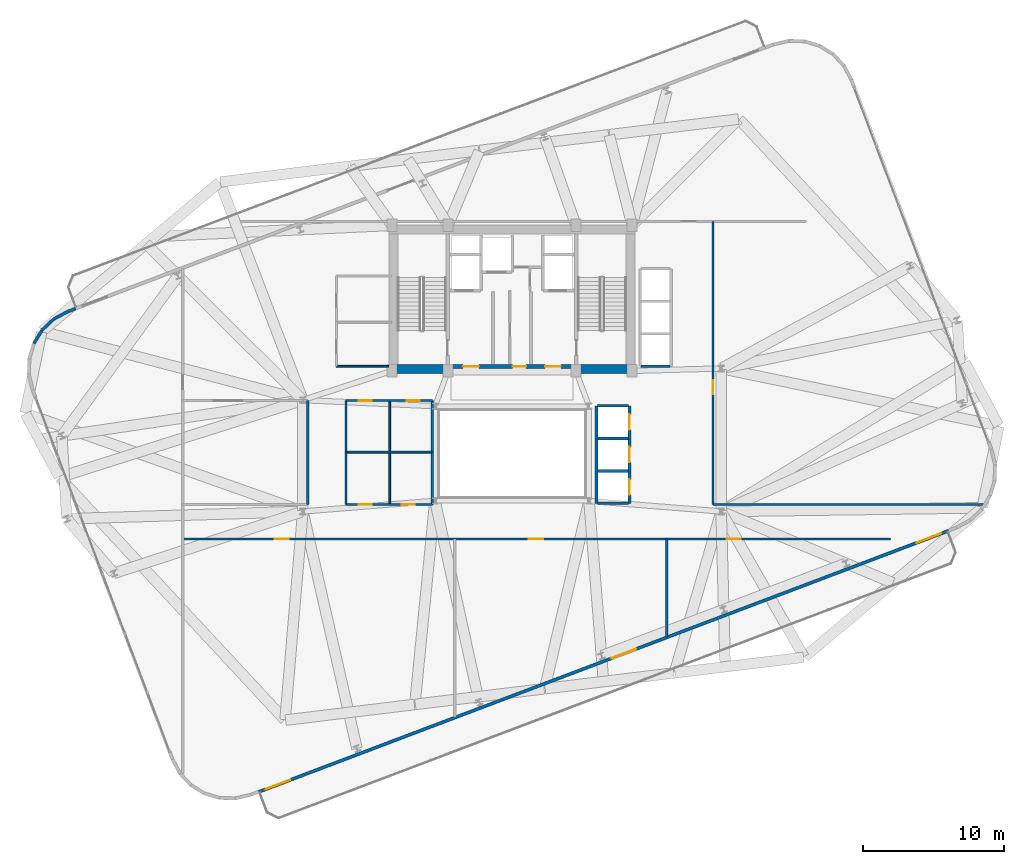
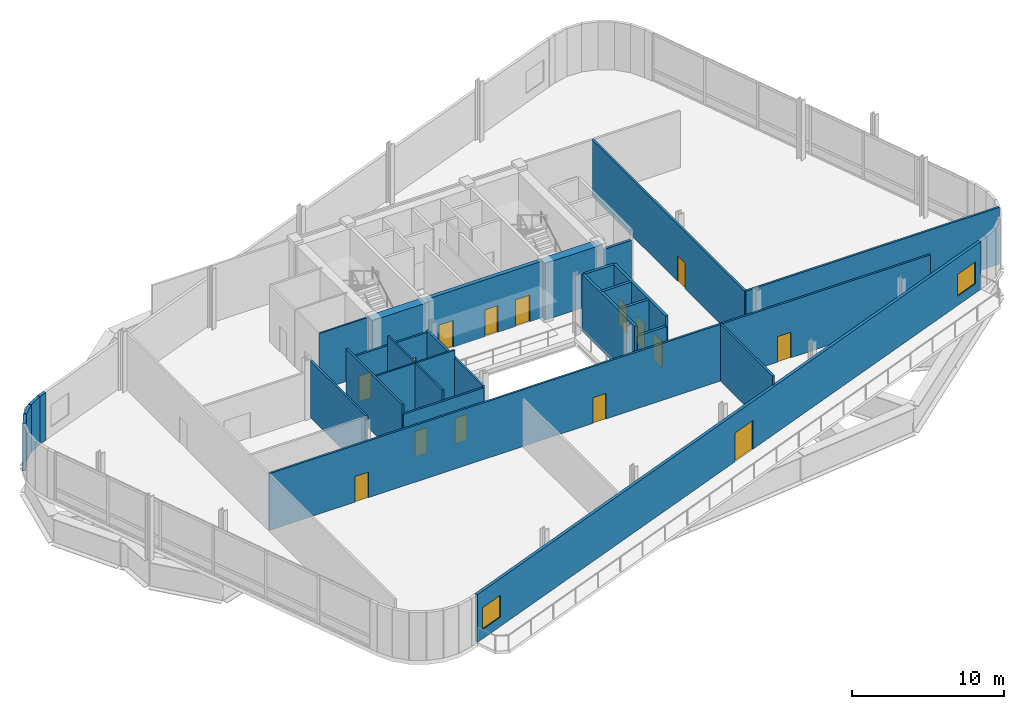
# One storey, part 13 of 19: 27 walls, 15 doors, 2 windows, 17 openings.
"""IFC4 building model written with IfcOpenShell, lengths in metres."""

import ifcopenshell
import ifcopenshell.guid

model = None  # the IFC model being written
_history = None  # IfcOwnerHistory: only IFC2X3 demands one
_inside = {}  # id of a spatial element -> (the spatial element, [elements in it])
_under = {}  # id of a project, library or spatial element -> (it, [spatial elements below it])
_declared = {}  # id of a project -> (the project, [libraries it declares])
_typed = {}  # id of a type object -> (the type object, [elements of that type])
_made_of = {}  # id of a material, layer set ... -> (it, [elements and type objects made of it])


def new_model(schema):
    """Start an empty IFC model of exactly this schema.

    Asked for "IFC4X3", IfcOpenShell would pick the latest addendum, in which some entities
    have other attributes; the version numbers below select the first issue.
    IFC2X3 requires an IfcOwnerHistory on every rooted entity: one is made here for all.
    """
    global model, _history
    if schema == "IFC4X3":
        model = ifcopenshell.file(schema_version=(4, 3, 0, 0))
    else:
        model = ifcopenshell.file(schema=schema)
    _inside.clear()
    _under.clear()
    _declared.clear()
    _typed.clear()
    _made_of.clear()
    _history = None
    if model.schema == "IFC2X3":
        org = make("IfcOrganization", Name="unknown")
        user = make(
            "IfcPersonAndOrganization",
            ThePerson=make("IfcPerson", FamilyName="unknown"),
            TheOrganization=org,
        )
        app = make(
            "IfcApplication",
            ApplicationDeveloper=org,
            Version="unknown",
            ApplicationFullName="unknown",
            ApplicationIdentifier="unknown",
        )
        _history = make(
            "IfcOwnerHistory",
            OwningUser=user,
            OwningApplication=app,
            ChangeAction="ADDED",
            CreationDate=0,
        )
    return model


def make(cls, **values):
    """One entity of the class cls with the attributes given. An attribute that is None is left unset."""
    return model.create_entity(
        cls, **{name: value for name, value in values.items() if value is not None}
    )


def rooted(cls, **values):
    """An entity with a GlobalId (a new one), such as an element, a storey or a relation."""
    return make(cls, GlobalId=ifcopenshell.guid.new(), OwnerHistory=_history, **values)


def si_unit(unit_type, name, prefix=None):
    """IfcSIUnit, for example si_unit("LENGTHUNIT", "METRE", prefix="MILLI")."""
    return make("IfcSIUnit", UnitType=unit_type, Prefix=prefix, Name=name)


def assignment(units):
    """IfcUnitAssignment: the units of a project."""
    return None if units is None else make("IfcUnitAssignment", Units=units)


def point(xyz):
    """IfcCartesianPoint."""
    return None if xyz is None else make("IfcCartesianPoint", Coordinates=xyz)


def direction(xyz):
    """IfcDirection."""
    return None if xyz is None else make("IfcDirection", DirectionRatios=xyz)


def frame(location, z_axis=None, x_axis=None):
    """IfcAxis2Placement3D, a coordinate frame: its origin and axes. An axis left out is left unset."""
    return make(
        "IfcAxis2Placement3D",
        Location=point(location),
        Axis=direction(z_axis),
        RefDirection=direction(x_axis),
    )


def frame_2d(location, x_axis=None):
    """IfcAxis2Placement2D, a coordinate frame in the plane: its origin and x axis."""
    return make(
        "IfcAxis2Placement2D", Location=point(location), RefDirection=direction(x_axis)
    )


def origin():
    """The frame at (0, 0, 0) with its axes left unset."""
    return frame((0.0, 0.0, 0.0))


def place(relative_to, where):
    """IfcLocalPlacement: puts the frame where relative to a parent placement (None: the world)."""
    return make(
        "IfcLocalPlacement", PlacementRelTo=relative_to, RelativePlacement=where
    )


def context(
    kind, dimensions, precision=None, world=None, true_north=None, identifier=None
):
    """IfcGeometricRepresentationContext, for example the 3D "Model" context."""
    return make(
        "IfcGeometricRepresentationContext",
        ContextIdentifier=identifier,
        ContextType=kind,
        CoordinateSpaceDimension=dimensions,
        Precision=precision,
        WorldCoordinateSystem=world,
        TrueNorth=true_north,
    )


def subcontext(parent, identifier, kind, view, scale=None):
    """IfcGeometricRepresentationSubContext, for example "Body" below "Model"."""
    return make(
        "IfcGeometricRepresentationSubContext",
        ContextIdentifier=identifier,
        ContextType=kind,
        ParentContext=parent,
        TargetScale=scale,
        TargetView=view,
    )


def project(units=None, contexts=None):
    """IfcProject with its units and contexts."""
    return rooted(
        "IfcProject",
        Name="project",
        RepresentationContexts=contexts,
        UnitsInContext=assignment(units),
    )


def spatial(cls, under=None, at=None, **own):
    """A site, building, storey or space (cls), placed at a placement, below another one or the project."""
    s = rooted(cls, ObjectPlacement=at, **own)
    if under is not None:
        _under.setdefault(under.id(), (under, []))[1].append(s)
    return s


def profile(cls, at=None, kind="AREA", **sizes):
    """A parametric profile (cls). Its sizes go by their IFC names, for example OverallWidth=200.0."""
    return make(cls, ProfileType=kind, Position=at, **sizes)


def rectangle(**sizes):
    """IfcRectangleProfileDef."""
    return profile("IfcRectangleProfileDef", **sizes)


def extrude(swept, where, along, depth):
    """IfcExtrudedAreaSolid: the profile swept, set in the frame where, extruded along a direction by depth."""
    return make(
        "IfcExtrudedAreaSolid",
        SweptArea=swept,
        Position=where,
        ExtrudedDirection=direction(along),
        Depth=depth,
    )


def shape(context_of_items, identifier, shape_type, items):
    """IfcShapeRepresentation: the items that make up one representation, for example the "Body"."""
    return make(
        "IfcShapeRepresentation",
        ContextOfItems=context_of_items,
        RepresentationIdentifier=identifier,
        RepresentationType=shape_type,
        Items=items,
    )


def material(Name=None, Category=None):
    """IfcMaterial."""
    return make("IfcMaterial", Name=Name, Category=Category)


def layer(
    of_material, thickness, ventilated=None, Name=None, Category=None, Priority=None
):
    """IfcMaterialLayer: one layer of a wall or slab, of a material (None: an air gap)."""
    return make(
        "IfcMaterialLayer",
        Material=of_material,
        LayerThickness=thickness,
        IsVentilated=ventilated,
        Name=Name,
        Category=Category,
        Priority=Priority,
    )


def layer_set(layers, Name=None):
    """IfcMaterialLayerSet."""
    return make("IfcMaterialLayerSet", MaterialLayers=layers, LayerSetName=Name)


def made_of(thing, what):
    """Note that an element or type object is made of a material, layer set ...; save() writes the relation."""
    if what is not None:
        _made_of.setdefault(what.id(), (what, []))[1].append(thing)
    return thing


def type_object(cls, material=None, **own):
    """A type object (cls), such as IfcWallType, which elements share."""
    return made_of(rooted(cls, **own), material)


def element(
    cls,
    number,
    at=None,
    inside=None,
    cuts=None,
    type_object=None,
    material=None,
    context=None,
    identifier="Body",
    shape_type=None,
    held_by="IfcProductDefinitionShape",
    body=None,
    shapes=None,
    **own,
):
    """One element of the class cls, such as IfcWall. Its Tag is "e" and its number.

    at: its placement. inside: the storey or other place that contains it. cuts: it is an
    opening in that element (IfcRelVoidsElement). A single representation is given by context,
    identifier, shape_type and body (its items); several are given by shapes. held_by: the class
    of the entity that holds the representations. save() writes the other relations.
    """
    e = rooted(cls, Tag="e%d" % number, ObjectPlacement=at, **own)
    if body is not None:
        shapes = [shape(context, identifier, shape_type, body)]
    if shapes is not None:
        e.Representation = make(held_by, Representations=shapes)
    if inside is not None:
        _inside.setdefault(inside.id(), (inside, []))[1].append(e)
    if cuts is not None:
        rooted(
            "IfcRelVoidsElement", RelatingBuildingElement=cuts, RelatedOpeningElement=e
        )
    if type_object is not None:
        _typed.setdefault(type_object.id(), (type_object, []))[1].append(e)
    return made_of(e, material)


def fill(opening, filler):
    """IfcRelFillsElement: the door or window that sits in an opening."""
    return rooted(
        "IfcRelFillsElement",
        RelatingOpeningElement=opening,
        RelatedBuildingElement=filler,
    )


def aggregate(whole, parts):
    """IfcRelAggregates: a whole, such as a stair, and the parts it consists of."""
    return rooted("IfcRelAggregates", RelatingObject=whole, RelatedObjects=parts)


def save(model, path):
    """Write the relations noted so far, then the file.

    IfcRelAggregates (storeys below a building ...), IfcRelContainedInSpatialStructure (elements
    in a storey), IfcRelDefinesByType, IfcRelAssociatesMaterial and IfcRelDeclares: one each for
    every whole, place, type object, material and project.
    """
    for whole, parts in _under.values():
        aggregate(whole, parts)
    for where, things in _inside.values():
        rooted(
            "IfcRelContainedInSpatialStructure",
            RelatedElements=things,
            RelatingStructure=where,
        )
    for kind, things in _typed.values():
        rooted("IfcRelDefinesByType", RelatedObjects=things, RelatingType=kind)
    for what, things in _made_of.values():
        rooted("IfcRelAssociatesMaterial", RelatedObjects=things, RelatingMaterial=what)
    for by, libraries in _declared.values():
        rooted("IfcRelDeclares", RelatingContext=by, RelatedDefinitions=libraries)
    model.write(path)


model = new_model("IFC4")

# Units and contexts
model_context = context("Model", 3, precision=1e-05, world=origin(), true_north=direction((0.0, 1.0)))
body_context = subcontext(model_context, "Body", "Model", "MODEL_VIEW")
ifc_project = project(units=[si_unit("LENGTHUNIT", "METRE"), si_unit("AREAUNIT", "SQUARE_METRE"), si_unit("VOLUMEUNIT", "CUBIC_METRE"), si_unit("PLANEANGLEUNIT", "RADIAN"), si_unit("MASSUNIT", "GRAM", prefix="KILO")], contexts=[model_context])

# Site, building, storey
site_placement = place(None, origin())
site = spatial("IfcSite", under=ifc_project, at=site_placement, CompositionType="ELEMENT")
building_placement = place(site_placement, origin())
building = spatial("IfcBuilding", under=site, at=building_placement, Name="Varnelok Gate Tower", CompositionType="ELEMENT")
storey_placement = place(building_placement, frame((0.0, 0.0, 207.89990234375)))
storey = spatial("IfcBuildingStorey", under=building, at=storey_placement, Name="L53", CompositionType="ELEMENT", Elevation=207.89990234375)

# Wall, openings, door, windows
ifc_material_1 = material(Name="Concrete C45/55", Category="concrete")
ifc_layer_1 = layer(ifc_material_1, 0.219970703125)
ifc_layer_set_1 = layer_set([ifc_layer_1], Name="Concrete C45/55")
wall_type_1 = type_object("IfcWallType", Name="EW-BALC-220", PredefinedType="SOLIDWALL", material=ifc_layer_set_1)
wall_1_placement = place(storey_placement, frame((70.085205078125, 17.435791015625, 0.0), z_axis=(0.0, 0.0, 1.0), x_axis=(-0.935222646765, -0.354060165759, 0.0)))
wall_1 = element("IfcWall", 1, at=wall_1_placement, inside=storey, type_object=wall_type_1, Name="L53 South Terrace Envelope Wall 1", PredefinedType="SOLIDWALL", context=body_context, shape_type="SweptSolid", body=[
    extrude(rectangle(XDim=52.199951171875, YDim=0.219970703125, at=frame_2d((26.10009765625, 0.0))), origin(), (0.0, 0.0, 1.0), 3.830078125),
])
opening_1_placement = place(wall_1_placement, frame((23.640380859375, 0.0, 0.0)))
opening_1 = element("IfcOpeningElement", 2, at=opening_1_placement, cuts=wall_1, Name="Opening SGD-1", PredefinedType="OPENING", context=body_context, shape_type="SweptSolid", body=[
    extrude(rectangle(XDim=1.85009765625, YDim=2.300048828125, at=frame_2d((0.925048828125, 1.14990234375))), frame((0.0, 0.119873046875, 0.0), z_axis=(0.0, -1.0, 0.0), x_axis=(1.0, 0.0, 0.0)), (0.0, 0.0, 1.0), 0.239990234375),
])
opening_2_placement = place(wall_1_placement, frame((0.550048828125, 0.0, 0.75)))
opening_2 = element("IfcOpeningElement", 3, at=opening_2_placement, cuts=wall_1, Name="Opening WN5", PredefinedType="OPENING", context=body_context, shape_type="SweptSolid", body=[
    extrude(rectangle(XDim=1.85009765625, YDim=1.75, at=frame_2d((0.925048828125, 0.875))), frame((0.0, 0.119873046875, 0.0), z_axis=(0.0, -1.0, 0.0), x_axis=(1.0, 0.0, 0.0)), (0.0, 0.0, 1.0), 0.239990234375),
])
opening_3_placement = place(wall_1_placement, frame((49.800048828125, 0.0, 0.75)))
opening_3 = element("IfcOpeningElement", 4, at=opening_3_placement, cuts=wall_1, Name="Opening WN5", PredefinedType="OPENING", context=body_context, shape_type="SweptSolid", body=[
    extrude(rectangle(XDim=1.85009765625, YDim=1.75, at=frame_2d((0.925048828125, 0.875))), frame((0.0, 0.119873046875, 0.0), z_axis=(0.0, -1.0, 0.0), x_axis=(1.0, 0.0, 0.0)), (0.0, 0.0, 1.0), 0.239990234375),
])
ifc_material_2 = material(Name="Anodized Aluminum Alloy 6063-T6", Category="aluminium")
door_type_1 = type_object("IfcDoorType", Name="DR-EXT-SKYG1850", OperationType="DOUBLE_DOOR_SINGLE_SWING", PredefinedType="DOOR", material=ifc_material_2)
door_1_placement = place(opening_1_placement, origin())
door_1 = element("IfcDoor", 5, at=door_1_placement, inside=storey, type_object=door_type_1, Name="L53 South Sky Garden Glazed Door 1", OperationType="DOUBLE_DOOR_SINGLE_SWING", OverallHeight=2.300048828125, OverallWidth=1.85009765625, PredefinedType="DOOR", context=body_context, shape_type="SweptSolid", body=[
    extrude(rectangle(XDim=1.85009765625, YDim=2.300048828125, at=frame_2d((0.925048828125, 1.14990234375))), frame((0.0, 0.02490234375, 0.0), z_axis=(0.0, -1.0, 0.0), x_axis=(1.0, 0.0, 0.0)), (0.0, 0.0, 1.0), 0.050048828125),
])
fill(opening_1, door_1)
ifc_material_3 = material(Name="Low-E Laminated Double Glazing IGU", Category="glass")
window_type = type_object("IfcWindowType", Name="WN-RES-1850", PartitioningType="SINGLE_PANEL", PredefinedType="WINDOW", material=ifc_material_3)
window_1_placement = place(opening_2_placement, origin())
window_1 = element("IfcWindow", 6, at=window_1_placement, inside=storey, type_object=window_type, Name="L53 South Vision Window 1.1", OverallHeight=1.75, OverallWidth=1.85009765625, PartitioningType="SINGLE_PANEL", PredefinedType="WINDOW", context=body_context, shape_type="SweptSolid", body=[
    extrude(rectangle(XDim=1.85009765625, YDim=1.75, at=frame_2d((0.925048828125, 0.875))), frame((0.0, 0.030029296875, 0.0), z_axis=(0.0, -1.0, 0.0), x_axis=(1.0, 0.0, 0.0)), (0.0, 0.0, 1.0), 0.06005859375),
])
fill(opening_2, window_1)
window_2_placement = place(opening_3_placement, origin())
window_2 = element("IfcWindow", 7, at=window_2_placement, inside=storey, type_object=window_type, Name="L53 South Vision Window 1.2", OverallHeight=1.75, OverallWidth=1.85009765625, PartitioningType="SINGLE_PANEL", PredefinedType="WINDOW", context=body_context, shape_type="SweptSolid", body=[
    extrude(rectangle(XDim=1.85009765625, YDim=1.75, at=frame_2d((0.925048828125, 0.875))), frame((0.0, 0.030029296875, 0.0), z_axis=(0.0, -1.0, 0.0), x_axis=(1.0, 0.0, 0.0)), (0.0, 0.0, 1.0), 0.06005859375),
])
fill(opening_3, window_2)

# Walls
wall_2_placement = place(storey_placement, frame((8.318603515625, 33.15478515625, 0.0), z_axis=(0.0, 0.0, 1.0), x_axis=(-0.935359991553, -0.353697167365, 0.0)))
element("IfcWall", 8, at=wall_2_placement, inside=storey, type_object=wall_type_1, Name="L53 Perimeter Facade Closure Wall 24", PredefinedType="SOLIDWALL", context=body_context, shape_type="SweptSolid", body=[
    extrude(rectangle(XDim=0.59228515625, YDim=0.219970703125, at=frame_2d((0.296142578125, 0.0))), origin(), (0.0, 0.0, 1.0), 3.830078125),
])
wall_3_placement = place(storey_placement, frame((7.74267578125, 32.933349609375, 0.0), z_axis=(0.0, 0.0, 1.0), x_axis=(-0.881040688262, -0.473040490473, 0.0)))
element("IfcWall", 9, at=wall_3_placement, inside=storey, type_object=wall_type_1, Name="L53 Perimeter Facade Closure Wall 25", PredefinedType="SOLIDWALL", context=body_context, shape_type="SweptSolid", body=[
    extrude(rectangle(XDim=1.099853515625, YDim=0.219970703125, at=frame_2d((0.5498046875, 0.0))), origin(), (0.0, 0.0, 1.0), 3.830078125),
])
for number, where, z_axis, x_axis, name in (
    (10, (6.75537109375, 32.395751953125, 0.0), (0.0, 0.0, 1.0), (-0.728567421456, -0.684974096147, 0.0), "L53 Perimeter Facade Closure Wall 26"),
    (11, (5.946533203125, 31.62646484375, 0.0), (0.0, 0.0, 1.0), (-0.526477748927, -0.850188908352, 0.0), "L53 Perimeter Facade Closure Wall 27"),
):
    element("IfcWall", number, at=place(storey_placement, frame(where, z_axis=z_axis, x_axis=x_axis)), inside=storey, type_object=wall_type_1, Name=name, PredefinedType="SOLIDWALL", context=body_context, shape_type="SweptSolid", body=[
        extrude(rectangle(XDim=1.092041015625, YDim=0.219970703125, at=frame_2d((0.5458984375, 0.0))), origin(), (0.0, 0.0, 1.0), 3.830078125),
    ])
ifc_material_4 = material(Name="Gypsum Plasterboard Acoustic Partition", Category="gypsum")
ifc_layer_2 = layer(ifc_material_4, 0.114990234375)
ifc_layer_set_2 = layer_set([ifc_layer_2], Name="Gypsum Plasterboard Acoustic Partition")
wall_type_2 = type_object("IfcWallType", Name="PW-ENS-125", PredefinedType="PARTITIONING", material=ifc_layer_set_2)
wall_4_placement = place(storey_placement, frame((26.780029296875, 29.080078125, 0.0), z_axis=(0.0, 0.0, 1.0), x_axis=(1.0, 0.0, 0.0)))
element("IfcWall", 12, at=wall_4_placement, inside=storey, type_object=wall_type_2, Name="Interior Partition", PredefinedType="PARTITIONING", context=body_context, shape_type="SweptSolid", body=[
    extrude(rectangle(XDim=3.699951171875, YDim=0.114990234375, at=frame_2d((1.85009765625, 0.0))), origin(), (0.0, 0.0, 1.0), 4.550048828125),
])
ifc_layer_3 = layer(ifc_material_4, 0.125)
ifc_layer_set_3 = layer_set([ifc_layer_3], Name="Gypsum Plasterboard Acoustic Partition")
wall_type_3 = type_object("IfcWallType", Name="PW-PART-125", PredefinedType="PARTITIONING", material=ifc_layer_set_3)
wall_5_placement = place(storey_placement, frame((30.550048828125, 19.3798828125, 0.0), z_axis=(0.0, 0.0, 1.0), x_axis=(0.0, 1.0, 0.0)))
element("IfcWall", 13, at=wall_5_placement, inside=storey, type_object=wall_type_3, Name="Interior Partition", PredefinedType="PARTITIONING", context=body_context, shape_type="SweptSolid", body=[
    extrude(rectangle(XDim=7.18017578125, YDim=0.125, at=frame_2d((3.590087890625, 0.0))), origin(), (0.0, 0.0, 1.0), 4.550048828125),
])
wall_6_placement = place(storey_placement, frame((27.52001953125, 23.0, 0.0), z_axis=(0.0, 0.0, 1.0), x_axis=(1.0, 0.0, 0.0)))
element("IfcWall", 14, at=wall_6_placement, inside=storey, type_object=wall_type_3, Name="Interior Partition", PredefinedType="PARTITIONING", context=body_context, shape_type="SweptSolid", body=[
    extrude(rectangle(XDim=6.0, YDim=0.125, at=frame_2d((3.0, 0.0))), origin(), (0.0, 0.0, 1.0), 4.550048828125),
])

# Wall, openings, doors
ifc_layer_4 = layer(ifc_material_4, 0.14990234375)
ifc_layer_set_4 = layer_set([ifc_layer_4], Name="Gypsum Plasterboard Acoustic Partition")
wall_type_4 = type_object("IfcWallType", Name="PW-PART-150", PredefinedType="PARTITIONING", material=ifc_layer_set_4)
wall_7_placement = place(storey_placement, frame((27.4599609375, 26.639892578125, 0.0), z_axis=(0.0, 0.0, 1.0), x_axis=(1.0, 0.0, 0.0)))
wall_7 = element("IfcWall", 15, at=wall_7_placement, inside=storey, type_object=wall_type_4, Name="Interior Partition", PredefinedType="PARTITIONING", context=body_context, shape_type="SweptSolid", body=[
    extrude(rectangle(XDim=6.10009765625, YDim=0.14990234375, at=frame_2d((3.050048828125, 0.0))), origin(), (0.0, 0.0, 1.0), 3.76220703125),
])
opening_4_placement = place(wall_7_placement, frame((0.89990234375, 0.0, 0.0)))
opening_4 = element("IfcOpeningElement", 16, at=opening_4_placement, cuts=wall_7, Name="Opening D-WC", PredefinedType="OPENING", context=body_context, shape_type="SweptSolid", body=[
    extrude(rectangle(XDim=0.89990234375, YDim=2.050048828125, at=frame_2d((0.449951171875, 1.02490234375))), frame((0.0, 0.0849609375, 0.0), z_axis=(0.0, -1.0, 0.0), x_axis=(1.0, 0.0, 0.0)), (0.0, 0.0, 1.0), 0.169921875),
])
opening_5_placement = place(wall_7_placement, frame((4.302978515625, 0.0, 0.0)))
opening_5 = element("IfcOpeningElement", 17, at=opening_5_placement, cuts=wall_7, Name="Opening D-WC", PredefinedType="OPENING", context=body_context, shape_type="SweptSolid", body=[
    extrude(rectangle(XDim=0.89990234375, YDim=2.050048828125, at=frame_2d((0.449951171875, 1.02490234375))), frame((0.0, 0.0849609375, 0.0), z_axis=(0.0, -1.0, 0.0), x_axis=(1.0, 0.0, 0.0)), (0.0, 0.0, 1.0), 0.169921875),
])
ifc_material_5 = material(Name="Engineered Hardwood Timber", Category="wood")
door_type_2 = type_object("IfcDoorType", Name="DR-BATH-900", OperationType="NOTDEFINED", PredefinedType="DOOR", material=ifc_material_5)
door_2_placement = place(opening_4_placement, origin())
door_2 = element("IfcDoor", 18, at=door_2_placement, inside=storey, type_object=door_type_2, Name="L53 Male WC Door", OperationType="SINGLE_SWING_LEFT", OverallHeight=2.050048828125, OverallWidth=0.89990234375, PredefinedType="DOOR", context=body_context, shape_type="SweptSolid", body=[
    extrude(rectangle(XDim=0.89990234375, YDim=2.050048828125, at=frame_2d((0.449951171875, 1.02490234375))), frame((0.0, 0.02490234375, 0.0), z_axis=(0.0, -1.0, 0.0), x_axis=(1.0, 0.0, 0.0)), (0.0, 0.0, 1.0), 0.050048828125),
])
fill(opening_4, door_2)
door_3_placement = place(opening_5_placement, origin())
door_3 = element("IfcDoor", 19, at=door_3_placement, inside=storey, type_object=door_type_2, Name="L53 Female WC Door", OperationType="SINGLE_SWING_RIGHT", OverallHeight=2.050048828125, OverallWidth=0.89990234375, PredefinedType="DOOR", context=body_context, shape_type="SweptSolid", body=[
    extrude(rectangle(XDim=0.89990234375, YDim=2.050048828125, at=frame_2d((0.449951171875, 1.02490234375))), frame((0.0, 0.02490234375, 0.0), z_axis=(0.0, -1.0, 0.0), x_axis=(1.0, 0.0, 0.0)), (0.0, 0.0, 1.0), 0.050048828125),
])
fill(opening_5, door_3)

wall_8_placement = place(storey_placement, frame((27.4599609375, 19.300048828125, 0.0), z_axis=(0.0, 0.0, 1.0), x_axis=(1.0, 0.0, 0.0)))
wall_8 = element("IfcWall", 20, at=wall_8_placement, inside=storey, type_object=wall_type_4, Name="Interior Partition", PredefinedType="PARTITIONING", context=body_context, shape_type="SweptSolid", body=[
    extrude(rectangle(XDim=6.10009765625, YDim=0.14990234375, at=frame_2d((3.050048828125, 0.0))), origin(), (0.0, 0.0, 1.0), 3.76220703125),
])
opening_6_placement = place(wall_8_placement, frame((0.89990234375, 0.0, 0.0)))
opening_6 = element("IfcOpeningElement", 21, at=opening_6_placement, cuts=wall_8, Name="Opening D-I3", PredefinedType="OPENING", context=body_context, shape_type="SweptSolid", body=[
    extrude(rectangle(XDim=0.919921875, YDim=2.050048828125, at=frame_2d((0.4599609375, 1.02490234375))), frame((0.0, 0.0849609375, 0.0), z_axis=(0.0, -1.0, 0.0), x_axis=(1.0, 0.0, 0.0)), (0.0, 0.0, 1.0), 0.169921875),
])
opening_7_placement = place(wall_8_placement, frame((3.949951171875, 0.0, 0.0)))
opening_7 = element("IfcOpeningElement", 22, at=opening_7_placement, cuts=wall_8, Name="Opening D-WC", PredefinedType="OPENING", context=body_context, shape_type="SweptSolid", body=[
    extrude(rectangle(XDim=0.89990234375, YDim=2.050048828125, at=frame_2d((0.449951171875, 1.02490234375))), frame((0.0, 0.0849609375, 0.0), z_axis=(0.0, -1.0, 0.0), x_axis=(1.0, 0.0, 0.0)), (0.0, 0.0, 1.0), 0.169921875),
])
door_4_placement = place(opening_7_placement, origin())
door_4 = element("IfcDoor", 23, at=door_4_placement, inside=storey, type_object=door_type_2, Name="L53 Accessible WC Door", OperationType="SINGLE_SWING_LEFT", OverallHeight=2.050048828125, OverallWidth=0.89990234375, PredefinedType="DOOR", context=body_context, shape_type="SweptSolid", body=[
    extrude(rectangle(XDim=0.89990234375, YDim=2.050048828125, at=frame_2d((0.449951171875, 1.02490234375))), frame((0.0, 0.02490234375, 0.0), z_axis=(0.0, -1.0, 0.0), x_axis=(1.0, 0.0, 0.0)), (0.0, 0.0, 1.0), 0.050048828125),
])
fill(opening_7, door_4)
door_type_3 = type_object("IfcDoorType", Name="DR-INT-920", OperationType="NOTDEFINED", PredefinedType="DOOR", material=ifc_material_5)
door_5_placement = place(opening_6_placement, origin())
door_5 = element("IfcDoor", 24, at=door_5_placement, inside=storey, type_object=door_type_3, Name="L53 Sky Pantry Door", OperationType="SINGLE_SWING_RIGHT", OverallHeight=2.050048828125, OverallWidth=0.919921875, PredefinedType="DOOR", context=body_context, shape_type="SweptSolid", body=[
    extrude(rectangle(XDim=0.919921875, YDim=2.050048828125, at=frame_2d((0.4599609375, 1.02490234375))), frame((0.0, 0.02490234375, 0.0), z_axis=(0.0, -1.0, 0.0), x_axis=(1.0, 0.0, 0.0)), (0.0, 0.0, 1.0), 0.050048828125),
])
fill(opening_6, door_5)

# Walls
wall_9_placement = place(storey_placement, frame((27.4599609375, 19.300048828125, 0.0), z_axis=(0.0, 0.0, 1.0), x_axis=(0.0, 1.0, 0.0)))
element("IfcWall", 25, at=wall_9_placement, inside=storey, type_object=wall_type_4, Name="Interior Partition", PredefinedType="PARTITIONING", context=body_context, shape_type="SweptSolid", body=[
    extrude(rectangle(XDim=7.33984375, YDim=0.14990234375, at=frame_2d((3.669921875, 0.0))), origin(), (0.0, 0.0, 1.0), 4.550048828125),
])
wall_10_placement = place(storey_placement, frame((33.56005859375, 19.300048828125, 0.0), z_axis=(0.0, 0.0, 1.0), x_axis=(0.0, 1.0, 0.0)))
element("IfcWall", 26, at=wall_10_placement, inside=storey, type_object=wall_type_4, Name="Interior Partition", PredefinedType="PARTITIONING", context=body_context, shape_type="SweptSolid", body=[
    extrude(rectangle(XDim=7.33984375, YDim=0.14990234375, at=frame_2d((3.669921875, 0.0))), origin(), (0.0, 0.0, 1.0), 3.924072265625),
])

# Wall, openings, doors
wall_11_placement = place(storey_placement, frame((15.89990234375, 16.85009765625, 0.0), z_axis=(0.0, 0.0, 1.0), x_axis=(1.0, 0.0, 0.0)))
wall_11 = element("IfcWall", 27, at=wall_11_placement, inside=storey, type_object=wall_type_4, Name="Interior Partition", PredefinedType="PARTITIONING", context=body_context, shape_type="SweptSolid", body=[
    extrude(rectangle(XDim=50.10009765625, YDim=0.14990234375, at=frame_2d((25.050048828125, 0.0))), origin(), (0.0, 0.0, 1.0), 4.550048828125),
])
opening_8_placement = place(wall_11_placement, frame((6.5, 0.0, 0.0)))
opening_8 = element("IfcOpeningElement", 28, at=opening_8_placement, cuts=wall_11, Name="Opening D-I1", PredefinedType="OPENING", context=body_context, shape_type="SweptSolid", body=[
    extrude(rectangle(XDim=1.0, YDim=2.050048828125, at=frame_2d((0.5, 1.02490234375))), frame((0.0, 0.0849609375, 0.0), z_axis=(0.0, -1.0, 0.0), x_axis=(1.0, 0.0, 0.0)), (0.0, 0.0, 1.0), 0.169921875),
])
opening_9_placement = place(wall_11_placement, frame((24.5, 0.0, 0.0)))
opening_9 = element("IfcOpeningElement", 29, at=opening_9_placement, cuts=wall_11, Name="Opening D-I1", PredefinedType="OPENING", context=body_context, shape_type="SweptSolid", body=[
    extrude(rectangle(XDim=1.0, YDim=2.050048828125, at=frame_2d((0.5, 1.02490234375))), frame((0.0, 0.0849609375, 0.0), z_axis=(0.0, -1.0, 0.0), x_axis=(1.0, 0.0, 0.0)), (0.0, 0.0, 1.0), 0.169921875),
])
opening_10_placement = place(wall_11_placement, frame((38.5, 0.0, 0.0)))
opening_10 = element("IfcOpeningElement", 30, at=opening_10_placement, cuts=wall_11, Name="Opening D-I1", PredefinedType="OPENING", context=body_context, shape_type="SweptSolid", body=[
    extrude(rectangle(XDim=1.0, YDim=2.050048828125, at=frame_2d((0.5, 1.02490234375))), frame((0.0, 0.0849609375, 0.0), z_axis=(0.0, -1.0, 0.0), x_axis=(1.0, 0.0, 0.0)), (0.0, 0.0, 1.0), 0.169921875),
])
door_type_4 = type_object("IfcDoorType", Name="DR-INT-1000", OperationType="NOTDEFINED", PredefinedType="DOOR", material=ifc_material_5)
door_6_placement = place(opening_8_placement, origin())
door_6 = element("IfcDoor", 31, at=door_6_placement, inside=storey, type_object=door_type_4, Name="L53 Owners Club Door", OperationType="SINGLE_SWING_LEFT", OverallHeight=2.050048828125, OverallWidth=1.0, PredefinedType="DOOR", context=body_context, shape_type="SweptSolid", body=[
    extrude(rectangle(XDim=1.0, YDim=2.050048828125, at=frame_2d((0.5, 1.02490234375))), frame((0.0, 0.02490234375, 0.0), z_axis=(0.0, -1.0, 0.0), x_axis=(1.0, 0.0, 0.0)), (0.0, 0.0, 1.0), 0.050048828125),
])
fill(opening_8, door_6)
door_7_placement = place(opening_9_placement, origin())
door_7 = element("IfcDoor", 32, at=door_7_placement, inside=storey, type_object=door_type_4, Name="L53 Sky Library Door", OperationType="SINGLE_SWING_RIGHT", OverallHeight=2.050048828125, OverallWidth=1.0, PredefinedType="DOOR", context=body_context, shape_type="SweptSolid", body=[
    extrude(rectangle(XDim=1.0, YDim=2.050048828125, at=frame_2d((0.5, 1.02490234375))), frame((0.0, 0.02490234375, 0.0), z_axis=(0.0, -1.0, 0.0), x_axis=(1.0, 0.0, 0.0)), (0.0, 0.0, 1.0), 0.050048828125),
])
fill(opening_9, door_7)
door_8_placement = place(opening_10_placement, origin())
door_8 = element("IfcDoor", 33, at=door_8_placement, inside=storey, type_object=door_type_4, Name="L53 Screening Room Door", OperationType="SINGLE_SWING_LEFT", OverallHeight=2.050048828125, OverallWidth=1.0, PredefinedType="DOOR", context=body_context, shape_type="SweptSolid", body=[
    extrude(rectangle(XDim=1.0, YDim=2.050048828125, at=frame_2d((0.5, 1.02490234375))), frame((0.0, 0.02490234375, 0.0), z_axis=(0.0, -1.0, 0.0), x_axis=(1.0, 0.0, 0.0)), (0.0, 0.0, 1.0), 0.050048828125),
])
fill(opening_10, door_8)

# Walls
wall_12_placement = place(storey_placement, frame((50.14990234375, 9.9208984375, 0.0), z_axis=(0.0, 0.0, 1.0), x_axis=(0.0, 1.0, 0.0)))
element("IfcWall", 34, at=wall_12_placement, inside=storey, type_object=wall_type_4, Name="Interior Partition", PredefinedType="PARTITIONING", context=body_context, shape_type="SweptSolid", body=[
    extrude(rectangle(XDim=6.92919921875, YDim=0.14990234375, at=frame_2d((3.464599609375, 0.0))), origin(), (0.0, 0.0, 1.0), 4.550048828125),
])
wall_13_placement = place(storey_placement, frame((24.75, 19.300048828125, 0.0), z_axis=(0.0, 0.0, 1.0), x_axis=(0.0, 1.0, 0.0)))
element("IfcWall", 35, at=wall_13_placement, inside=storey, type_object=wall_type_4, Name="Interior Partition", PredefinedType="PARTITIONING", context=body_context, shape_type="SweptSolid", body=[
    extrude(rectangle(XDim=7.33984375, YDim=0.14990234375, at=frame_2d((3.669921875, 0.0))), origin(), (0.0, 0.0, 1.0), 4.550048828125),
])

# Wall, opening, door
wall_14_placement = place(storey_placement, frame((53.419921875, 19.300048828125, 0.0), z_axis=(0.0, 0.0, 1.0), x_axis=(0.0, 1.0, 0.0)))
wall_14 = element("IfcWall", 36, at=wall_14_placement, inside=storey, type_object=wall_type_4, Name="Interior Partition", PredefinedType="PARTITIONING", context=body_context, shape_type="SweptSolid", body=[
    extrude(rectangle(XDim=20.02001953125, YDim=0.14990234375, at=frame_2d((10.010009765625, 0.0))), origin(), (0.0, 0.0, 1.0), 4.550048828125),
])
opening_11_placement = place(wall_14_placement, frame((7.800048828125, 0.0, 0.0)))
opening_11 = element("IfcOpeningElement", 37, at=opening_11_placement, cuts=wall_14, Name="Opening D-I1", PredefinedType="OPENING", context=body_context, shape_type="SweptSolid", body=[
    extrude(rectangle(XDim=1.0, YDim=2.050048828125, at=frame_2d((0.5, 1.02490234375))), frame((0.0, 0.0849609375, 0.0), z_axis=(0.0, -1.0, 0.0), x_axis=(1.0, 0.0, 0.0)), (0.0, 0.0, 1.0), 0.169921875),
])
door_9_placement = place(opening_11_placement, origin())
door_9 = element("IfcDoor", 38, at=door_9_placement, inside=storey, type_object=door_type_4, Name="L53 Club Lounge Door", OperationType="SINGLE_SWING_RIGHT", OverallHeight=2.050048828125, OverallWidth=1.0, PredefinedType="DOOR", context=body_context, shape_type="SweptSolid", body=[
    extrude(rectangle(XDim=1.0, YDim=2.050048828125, at=frame_2d((0.5, 1.02490234375))), frame((0.0, 0.02490234375, 0.0), z_axis=(0.0, -1.0, 0.0), x_axis=(1.0, 0.0, 0.0)), (0.0, 0.0, 1.0), 0.050048828125),
])
fill(opening_11, door_9)

# Walls
wall_15_placement = place(storey_placement, frame((53.419921875, 19.300048828125, 0.0), z_axis=(0.0, 0.0, 1.0), x_axis=(1.0, 0.0, 0.0)))
element("IfcWall", 39, at=wall_15_placement, inside=storey, type_object=wall_type_4, Name="Interior Partition", PredefinedType="PARTITIONING", context=body_context, shape_type="SweptSolid", body=[
    extrude(rectangle(XDim=19.212158203125, YDim=0.14990234375, at=frame_2d((9.60595703125, 0.0))), origin(), (0.0, 0.0, 1.0), 4.550048828125),
])
ifc_material_6 = material(Name="Concrete C35/45", Category="concrete")
ifc_layer_5 = layer(ifc_material_6, 0.199951171875)
ifc_layer_set_5 = layer_set([ifc_layer_5], Name="Concrete C35/45")
wall_type_5 = type_object("IfcWallType", Name="PW-SHAFT-200", PredefinedType="PARTITIONING", material=ifc_layer_set_5)
wall_16_placement = place(storey_placement, frame((48.320068359375, 29.080078125, 0.0), z_axis=(0.0, 0.0, 1.0), x_axis=(1.0, 0.0, 0.0)))
element("IfcWall", 40, at=wall_16_placement, inside=storey, type_object=wall_type_5, Name="L53 PM Bank South Wall", PredefinedType="PARTITIONING", context=body_context, shape_type="SweptSolid", body=[
    extrude(rectangle(XDim=2.059814453125, YDim=0.199951171875, at=frame_2d((1.02978515625, 0.0))), origin(), (0.0, 0.0, 1.0), 3.76220703125),
])
for number, where, z_axis, x_axis, name in (
    (41, (45.239990234375, 21.675048828125, 0.0), (0.0, 0.0, 1.0), (1.0, 0.0, 0.0), "L53 PH1 Divider"),
    (42, (45.239990234375, 23.97509765625, 0.0), (0.0, 0.0, 1.0), (1.0, 0.0, 0.0), "L53 PH2 Divider"),
):
    element("IfcWall", number, at=place(storey_placement, frame(where, z_axis=z_axis, x_axis=x_axis)), inside=storey, type_object=wall_type_5, Name=name, PredefinedType="PARTITIONING", context=body_context, shape_type="SweptSolid", body=[
        extrude(rectangle(XDim=2.219970703125, YDim=0.199951171875, at=frame_2d((1.10986328125, 0.0))), origin(), (0.0, 0.0, 1.0), 4.550048828125),
    ])
wall_17_placement = place(storey_placement, frame((45.239990234375, 19.3798828125, 0.0), z_axis=(0.0, 0.0, 1.0), x_axis=(1.0, 0.0, 0.0)))
element("IfcWall", 43, at=wall_17_placement, inside=storey, type_object=wall_type_5, Name="L53 PH Bank South Wall", PredefinedType="PARTITIONING", context=body_context, shape_type="SweptSolid", body=[
    extrude(rectangle(XDim=2.219970703125, YDim=0.199951171875, at=frame_2d((1.10986328125, 0.0))), origin(), (0.0, 0.0, 1.0), 3.76220703125),
])
wall_18_placement = place(storey_placement, frame((45.239990234375, 26.280029296875, 0.0), z_axis=(0.0, 0.0, 1.0), x_axis=(1.0, 0.0, 0.0)))
element("IfcWall", 44, at=wall_18_placement, inside=storey, type_object=wall_type_5, Name="L53 PH Bank North Wall", PredefinedType="PARTITIONING", context=body_context, shape_type="SweptSolid", body=[
    extrude(rectangle(XDim=2.219970703125, YDim=0.199951171875, at=frame_2d((1.10986328125, 0.0))), origin(), (0.0, 0.0, 1.0), 4.550048828125),
])
wall_19_placement = place(storey_placement, frame((45.179931640625, 19.3798828125, 0.0), z_axis=(0.0, 0.0, 1.0), x_axis=(0.0, 1.0, 0.0)))
element("IfcWall", 45, at=wall_19_placement, inside=storey, type_object=wall_type_5, Name="L53 PH Bank Atrium Wall", PredefinedType="PARTITIONING", context=body_context, shape_type="SweptSolid", body=[
    extrude(rectangle(XDim=6.900146484375, YDim=0.199951171875, at=frame_2d((3.4501953125, 0.0))), origin(), (0.0, 0.0, 1.0), 4.550048828125),
])

# Wall, openings, doors
wall_20_placement = place(storey_placement, frame((47.52001953125, 19.3798828125, 0.0), z_axis=(0.0, 0.0, 1.0), x_axis=(0.0, 1.0, 0.0)))
wall_20 = element("IfcWall", 46, at=wall_20_placement, inside=storey, type_object=wall_type_5, Name="L53 PH Bank Front Wall", PredefinedType="PARTITIONING", context=body_context, shape_type="SweptSolid", body=[
    extrude(rectangle(XDim=6.900146484375, YDim=0.199951171875, at=frame_2d((3.4501953125, 0.0))), origin(), (0.0, 0.0, 1.0), 4.550048828125),
])
opening_12_placement = place(wall_20_placement, frame((0.590087890625, 0.0, 0.0)))
opening_12 = element("IfcOpeningElement", 47, at=opening_12_placement, cuts=wall_20, Name="Opening LD-PH1", PredefinedType="OPENING", context=body_context, shape_type="SweptSolid", body=[
    extrude(rectangle(XDim=1.10009765625, YDim=2.14990234375, at=frame_2d((0.550048828125, 1.074951171875))), frame((0.0, 0.10986328125, 0.0), z_axis=(0.0, -1.0, 0.0), x_axis=(1.0, 0.0, 0.0)), (0.0, 0.0, 1.0), 0.219970703125),
])
opening_13_placement = place(wall_20_placement, frame((2.889892578125, 0.0, 0.0)))
opening_13 = element("IfcOpeningElement", 48, at=opening_13_placement, cuts=wall_20, Name="Opening LD-PH2", PredefinedType="OPENING", context=body_context, shape_type="SweptSolid", body=[
    extrude(rectangle(XDim=1.10009765625, YDim=2.14990234375, at=frame_2d((0.550048828125, 1.074951171875))), frame((0.0, 0.10986328125, 0.0), z_axis=(0.0, -1.0, 0.0), x_axis=(1.0, 0.0, 0.0)), (0.0, 0.0, 1.0), 0.219970703125),
])
opening_14_placement = place(wall_20_placement, frame((5.18994140625, 0.0, 0.0)))
opening_14 = element("IfcOpeningElement", 49, at=opening_14_placement, cuts=wall_20, Name="Opening LD-PH3", PredefinedType="OPENING", context=body_context, shape_type="SweptSolid", body=[
    extrude(rectangle(XDim=1.10009765625, YDim=2.14990234375, at=frame_2d((0.550048828125, 1.074951171875))), frame((0.0, 0.10986328125, 0.0), z_axis=(0.0, -1.0, 0.0), x_axis=(1.0, 0.0, 0.0)), (0.0, 0.0, 1.0), 0.219970703125),
])
ifc_material_7 = material(Name="Galvanized Steel Grade S350GD", Category="steel")
door_type_5 = type_object("IfcDoorType", Name="DR-LIFT-PAX1100", OperationType="SLIDING_TO_LEFT", PredefinedType="DOOR", material=ifc_material_7)
door_10_placement = place(opening_12_placement, origin())
door_10 = element("IfcDoor", 50, at=door_10_placement, inside=storey, type_object=door_type_5, Name="L53 Passenger Lift Landing Door LD-PH1", OperationType="SLIDING_TO_LEFT", OverallHeight=2.14990234375, OverallWidth=1.10009765625, PredefinedType="DOOR", context=body_context, shape_type="SweptSolid", body=[
    extrude(rectangle(XDim=1.10009765625, YDim=2.14990234375, at=frame_2d((0.550048828125, 1.074951171875))), frame((0.0, 0.02490234375, 0.0), z_axis=(0.0, -1.0, 0.0), x_axis=(1.0, 0.0, 0.0)), (0.0, 0.0, 1.0), 0.050048828125),
])
fill(opening_12, door_10)
door_11_placement = place(opening_13_placement, origin())
door_11 = element("IfcDoor", 51, at=door_11_placement, inside=storey, type_object=door_type_5, Name="L53 Passenger Lift Landing Door LD-PH2", OperationType="SLIDING_TO_LEFT", OverallHeight=2.14990234375, OverallWidth=1.10009765625, PredefinedType="DOOR", context=body_context, shape_type="SweptSolid", body=[
    extrude(rectangle(XDim=1.10009765625, YDim=2.14990234375, at=frame_2d((0.550048828125, 1.074951171875))), frame((0.0, 0.02490234375, 0.0), z_axis=(0.0, -1.0, 0.0), x_axis=(1.0, 0.0, 0.0)), (0.0, 0.0, 1.0), 0.050048828125),
])
fill(opening_13, door_11)
door_12_placement = place(opening_14_placement, origin())
door_12 = element("IfcDoor", 52, at=door_12_placement, inside=storey, type_object=door_type_5, Name="L53 Passenger Lift Landing Door LD-PH3", OperationType="SLIDING_TO_LEFT", OverallHeight=2.14990234375, OverallWidth=1.10009765625, PredefinedType="DOOR", context=body_context, shape_type="SweptSolid", body=[
    extrude(rectangle(XDim=1.10009765625, YDim=2.14990234375, at=frame_2d((0.550048828125, 1.074951171875))), frame((0.0, 0.02490234375, 0.0), z_axis=(0.0, -1.0, 0.0), x_axis=(1.0, 0.0, 0.0)), (0.0, 0.0, 1.0), 0.050048828125),
])
fill(opening_14, door_12)

# Walls
ifc_material_8 = material(Name="Concrete C60/75", Category="concrete")
ifc_layer_6 = layer(ifc_material_8, 0.64990234375)
ifc_layer_set_6 = layer_set([ifc_layer_6], Name="Concrete C60/75")
wall_type_6 = type_object("IfcWallType", Name="SW-CORE-650", PredefinedType="SHEAR", material=ifc_layer_set_6)
wall_21_placement = place(storey_placement, frame((30.47998046875, 28.875, 0.0), z_axis=(0.0, 0.0, 1.0), x_axis=(1.0, 0.0, 0.0)))
element("IfcWall", 53, at=wall_21_placement, inside=storey, type_object=wall_type_6, Name="L53 Rear Core South-West Shear Wall", PredefinedType="SHEAR", context=body_context, shape_type="SweptSolid", body=[
    extrude(rectangle(XDim=4.320068359375, YDim=0.64990234375, at=frame_2d((2.16015625, 0.0))), origin(), (0.0, 0.0, 1.0), 4.550048828125),
])
wall_22_placement = place(storey_placement, frame((43.60009765625, 28.875, 0.0), z_axis=(0.0, 0.0, 1.0), x_axis=(1.0, 0.0, 0.0)))
element("IfcWall", 54, at=wall_22_placement, inside=storey, type_object=wall_type_6, Name="L53 Rear Core South-East Shear Wall", PredefinedType="SHEAR", context=body_context, shape_type="SweptSolid", body=[
    extrude(rectangle(XDim=4.31982421875, YDim=0.64990234375, at=frame_2d((2.159912109375, 0.0))), origin(), (0.0, 0.0, 1.0), 4.550048828125),
])

# Wall, openings, doors
ifc_layer_7 = layer(ifc_material_8, 0.300048828125)
ifc_layer_set_7 = layer_set([ifc_layer_7], Name="Concrete C60/75")
wall_type_7 = type_object("IfcWallType", Name="SW-SHAFT-300", PredefinedType="SHEAR", material=ifc_layer_set_7)
wall_23_placement = place(storey_placement, frame((34.800048828125, 29.050048828125, 0.0), z_axis=(0.0, 0.0, 1.0), x_axis=(1.0, 0.0, 0.0)))
wall_23 = element("IfcWall", 55, at=wall_23_placement, inside=storey, type_object=wall_type_7, Name="L53 Rear Core Central Lobby Shear Wall", PredefinedType="SHEAR", context=body_context, shape_type="SweptSolid", body=[
    extrude(rectangle(XDim=8.800048828125, YDim=0.300048828125, at=frame_2d((4.39990234375, 0.0))), origin(), (0.0, 0.0, 1.0), 4.550048828125),
])
opening_15_placement = place(wall_23_placement, frame((0.949951171875, 0.0, 0.0)))
opening_15 = element("IfcOpeningElement", 56, at=opening_15_placement, cuts=wall_23, Name="Opening D-FF", PredefinedType="OPENING", context=body_context, shape_type="SweptSolid", body=[
    extrude(rectangle(XDim=1.10009765625, YDim=2.14990234375, at=frame_2d((0.550048828125, 1.074951171875))), frame((0.0, 0.159912109375, 0.0), z_axis=(0.0, -1.0, 0.0), x_axis=(1.0, 0.0, 0.0)), (0.0, 0.0, 1.0), 0.320068359375),
])
opening_16_placement = place(wall_23_placement, frame((6.75, 0.0, 0.0)))
opening_16 = element("IfcOpeningElement", 57, at=opening_16_placement, cuts=wall_23, Name="Opening D-FF", PredefinedType="OPENING", context=body_context, shape_type="SweptSolid", body=[
    extrude(rectangle(XDim=1.10009765625, YDim=2.14990234375, at=frame_2d((0.550048828125, 1.074951171875))), frame((0.0, 0.159912109375, 0.0), z_axis=(0.0, -1.0, 0.0), x_axis=(1.0, 0.0, 0.0)), (0.0, 0.0, 1.0), 0.320068359375),
])
opening_17_placement = place(wall_23_placement, frame((4.449951171875, 0.0, 0.0)))
opening_17 = element("IfcOpeningElement", 58, at=opening_17_placement, cuts=wall_23, Name="Opening D-CR", PredefinedType="OPENING", context=body_context, shape_type="SweptSolid", body=[
    extrude(rectangle(XDim=0.949951171875, YDim=2.14990234375, at=frame_2d((0.47509765625, 1.074951171875))), frame((0.0, 0.159912109375, 0.0), z_axis=(0.0, -1.0, 0.0), x_axis=(1.0, 0.0, 0.0)), (0.0, 0.0, 1.0), 0.320068359375),
])
door_type_6 = type_object("IfcDoorType", Name="DR-CORR-950", OperationType="NOTDEFINED", PredefinedType="DOOR", material=ifc_material_7)
door_13_placement = place(opening_17_placement, origin())
door_13 = element("IfcDoor", 59, at=door_13_placement, inside=storey, type_object=door_type_6, Name="L53 Core Service Passage Door", OperationType="SINGLE_SWING_LEFT", OverallHeight=2.14990234375, OverallWidth=0.949951171875, PredefinedType="DOOR", context=body_context, shape_type="SweptSolid", body=[
    extrude(rectangle(XDim=0.949951171875, YDim=2.14990234375, at=frame_2d((0.47509765625, 1.074951171875))), frame((0.0, 0.02490234375, 0.0), z_axis=(0.0, -1.0, 0.0), x_axis=(1.0, 0.0, 0.0)), (0.0, 0.0, 1.0), 0.050048828125),
])
fill(opening_17, door_13)
door_type_7 = type_object("IfcDoorType", Name="DR-FFLOB-1100", OperationType="NOTDEFINED", PredefinedType="DOOR", material=ifc_material_7)
door_14_placement = place(opening_15_placement, origin())
door_14 = element("IfcDoor", 60, at=door_14_placement, inside=storey, type_object=door_type_7, Name="L53 West Firefighting Lobby Fire Door", OperationType="SINGLE_SWING_RIGHT", OverallHeight=2.14990234375, OverallWidth=1.10009765625, PredefinedType="DOOR", context=body_context, shape_type="SweptSolid", body=[
    extrude(rectangle(XDim=1.10009765625, YDim=2.14990234375, at=frame_2d((0.550048828125, 1.074951171875))), frame((0.0, 0.02490234375, 0.0), z_axis=(0.0, -1.0, 0.0), x_axis=(1.0, 0.0, 0.0)), (0.0, 0.0, 1.0), 0.050048828125),
])
fill(opening_15, door_14)
door_15_placement = place(opening_16_placement, origin())
door_15 = element("IfcDoor", 61, at=door_15_placement, inside=storey, type_object=door_type_7, Name="L53 East Firefighting Lobby Fire Door", OperationType="SINGLE_SWING_LEFT", OverallHeight=2.14990234375, OverallWidth=1.10009765625, PredefinedType="DOOR", context=body_context, shape_type="SweptSolid", body=[
    extrude(rectangle(XDim=1.10009765625, YDim=2.14990234375, at=frame_2d((0.550048828125, 1.074951171875))), frame((0.0, 0.02490234375, 0.0), z_axis=(0.0, -1.0, 0.0), x_axis=(1.0, 0.0, 0.0)), (0.0, 0.0, 1.0), 0.050048828125),
])
fill(opening_16, door_15)

save(model, "model.ifc")
